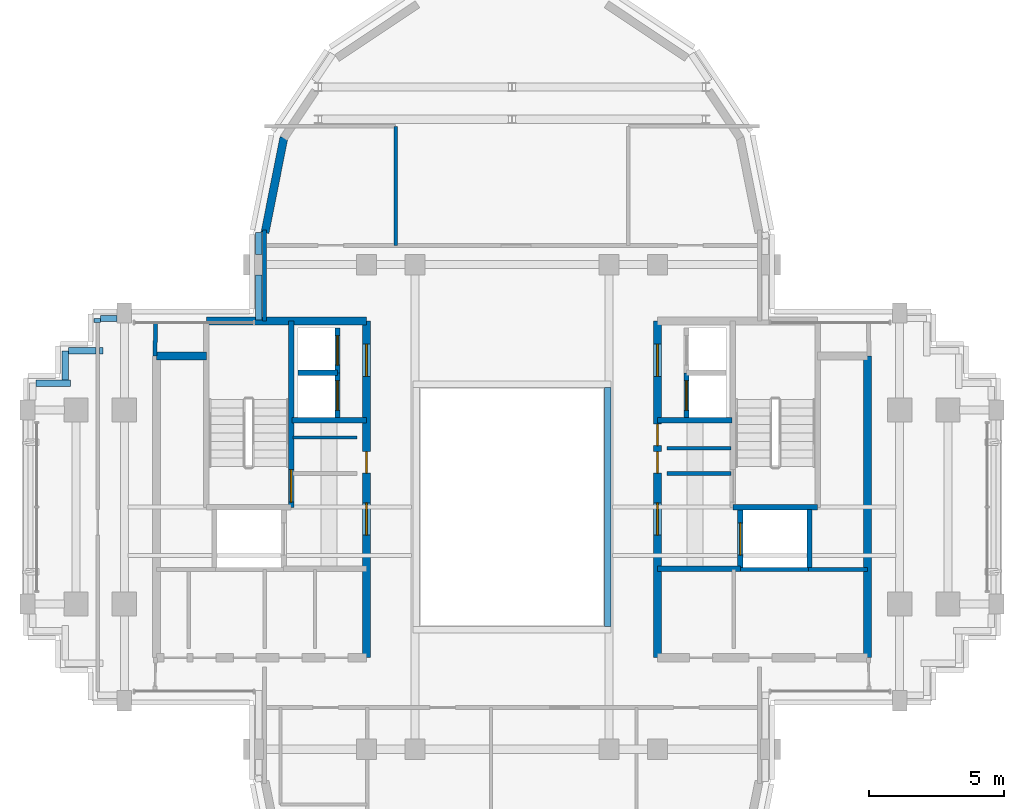
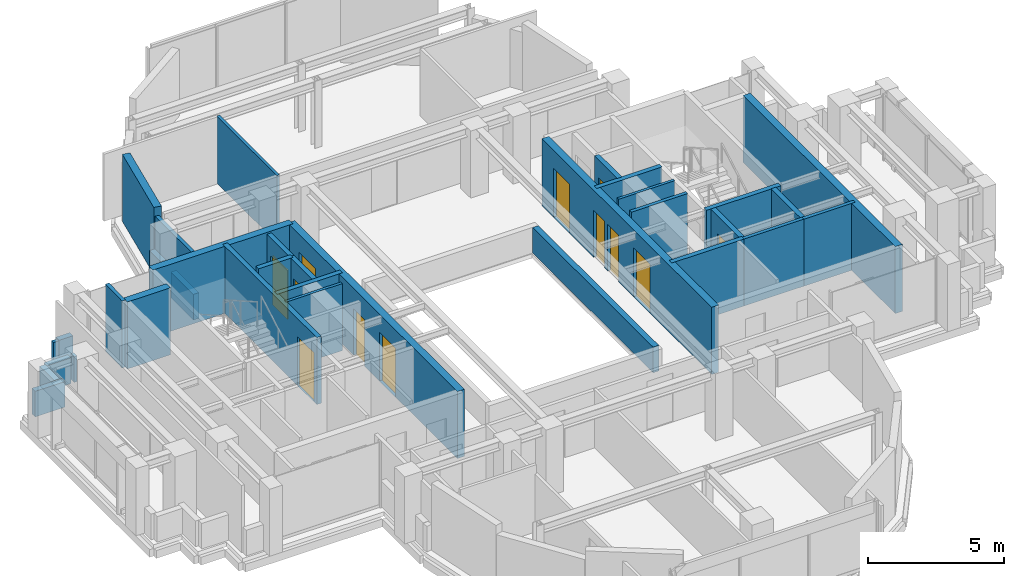
# One storey, part 9 of 12: 34 walls, 12 doors, 12 openings.
"""IFC4 building model written with IfcOpenShell, lengths in metres."""

import ifcopenshell
import ifcopenshell.guid

model = None  # the IFC model being written
_history = None  # IfcOwnerHistory: only IFC2X3 demands one
_inside = {}  # id of a spatial element -> (the spatial element, [elements in it])
_under = {}  # id of a project, library or spatial element -> (it, [spatial elements below it])
_declared = {}  # id of a project -> (the project, [libraries it declares])
_typed = {}  # id of a type object -> (the type object, [elements of that type])
_made_of = {}  # id of a material, layer set ... -> (it, [elements and type objects made of it])


def new_model(schema):
    """Start an empty IFC model of exactly this schema.

    Asked for "IFC4X3", IfcOpenShell would pick the latest addendum, in which some entities
    have other attributes; the version numbers below select the first issue.
    IFC2X3 requires an IfcOwnerHistory on every rooted entity: one is made here for all.
    """
    global model, _history
    if schema == "IFC4X3":
        model = ifcopenshell.file(schema_version=(4, 3, 0, 0))
    else:
        model = ifcopenshell.file(schema=schema)
    _inside.clear()
    _under.clear()
    _declared.clear()
    _typed.clear()
    _made_of.clear()
    _history = None
    if model.schema == "IFC2X3":
        org = make("IfcOrganization", Name="unknown")
        user = make(
            "IfcPersonAndOrganization",
            ThePerson=make("IfcPerson", FamilyName="unknown"),
            TheOrganization=org,
        )
        app = make(
            "IfcApplication",
            ApplicationDeveloper=org,
            Version="unknown",
            ApplicationFullName="unknown",
            ApplicationIdentifier="unknown",
        )
        _history = make(
            "IfcOwnerHistory",
            OwningUser=user,
            OwningApplication=app,
            ChangeAction="ADDED",
            CreationDate=0,
        )
    return model


def make(cls, **values):
    """One entity of the class cls with the attributes given. An attribute that is None is left unset."""
    return model.create_entity(
        cls, **{name: value for name, value in values.items() if value is not None}
    )


def rooted(cls, **values):
    """An entity with a GlobalId (a new one), such as an element, a storey or a relation."""
    return make(cls, GlobalId=ifcopenshell.guid.new(), OwnerHistory=_history, **values)


def si_unit(unit_type, name, prefix=None):
    """IfcSIUnit, for example si_unit("LENGTHUNIT", "METRE", prefix="MILLI")."""
    return make("IfcSIUnit", UnitType=unit_type, Prefix=prefix, Name=name)


def assignment(units):
    """IfcUnitAssignment: the units of a project."""
    return None if units is None else make("IfcUnitAssignment", Units=units)


def point(xyz):
    """IfcCartesianPoint."""
    return None if xyz is None else make("IfcCartesianPoint", Coordinates=xyz)


def direction(xyz):
    """IfcDirection."""
    return None if xyz is None else make("IfcDirection", DirectionRatios=xyz)


def frame(location, z_axis=None, x_axis=None):
    """IfcAxis2Placement3D, a coordinate frame: its origin and axes. An axis left out is left unset."""
    return make(
        "IfcAxis2Placement3D",
        Location=point(location),
        Axis=direction(z_axis),
        RefDirection=direction(x_axis),
    )


def frame_2d(location, x_axis=None):
    """IfcAxis2Placement2D, a coordinate frame in the plane: its origin and x axis."""
    return make(
        "IfcAxis2Placement2D", Location=point(location), RefDirection=direction(x_axis)
    )


def origin():
    """The frame at (0, 0, 0) with its axes left unset."""
    return frame((0.0, 0.0, 0.0))


def place(relative_to, where):
    """IfcLocalPlacement: puts the frame where relative to a parent placement (None: the world)."""
    return make(
        "IfcLocalPlacement", PlacementRelTo=relative_to, RelativePlacement=where
    )


def context(
    kind, dimensions, precision=None, world=None, true_north=None, identifier=None
):
    """IfcGeometricRepresentationContext, for example the 3D "Model" context."""
    return make(
        "IfcGeometricRepresentationContext",
        ContextIdentifier=identifier,
        ContextType=kind,
        CoordinateSpaceDimension=dimensions,
        Precision=precision,
        WorldCoordinateSystem=world,
        TrueNorth=true_north,
    )


def subcontext(parent, identifier, kind, view, scale=None):
    """IfcGeometricRepresentationSubContext, for example "Body" below "Model"."""
    return make(
        "IfcGeometricRepresentationSubContext",
        ContextIdentifier=identifier,
        ContextType=kind,
        ParentContext=parent,
        TargetScale=scale,
        TargetView=view,
    )


def project(units=None, contexts=None):
    """IfcProject with its units and contexts."""
    return rooted(
        "IfcProject",
        Name="project",
        RepresentationContexts=contexts,
        UnitsInContext=assignment(units),
    )


def spatial(cls, under=None, at=None, **own):
    """A site, building, storey or space (cls), placed at a placement, below another one or the project."""
    s = rooted(cls, ObjectPlacement=at, **own)
    if under is not None:
        _under.setdefault(under.id(), (under, []))[1].append(s)
    return s


def profile(cls, at=None, kind="AREA", **sizes):
    """A parametric profile (cls). Its sizes go by their IFC names, for example OverallWidth=200.0."""
    return make(cls, ProfileType=kind, Position=at, **sizes)


def rectangle(**sizes):
    """IfcRectangleProfileDef."""
    return profile("IfcRectangleProfileDef", **sizes)


def extrude(swept, where, along, depth):
    """IfcExtrudedAreaSolid: the profile swept, set in the frame where, extruded along a direction by depth."""
    return make(
        "IfcExtrudedAreaSolid",
        SweptArea=swept,
        Position=where,
        ExtrudedDirection=direction(along),
        Depth=depth,
    )


def shape(context_of_items, identifier, shape_type, items):
    """IfcShapeRepresentation: the items that make up one representation, for example the "Body"."""
    return make(
        "IfcShapeRepresentation",
        ContextOfItems=context_of_items,
        RepresentationIdentifier=identifier,
        RepresentationType=shape_type,
        Items=items,
    )


def source(mapping_origin, context_of_items, identifier, shape_type, items):
    """IfcRepresentationMap: a shape defined once, which mapped items show again and again."""
    return make(
        "IfcRepresentationMap",
        MappingOrigin=mapping_origin,
        MappedRepresentation=shape(context_of_items, identifier, shape_type, items),
    )


def transform(
    local_origin,
    x_axis=None,
    y_axis=None,
    z_axis=None,
    scale=None,
    scale2=None,
    scale3=None,
    uniform=True,
):
    """IfcCartesianTransformationOperator3D, or its non-uniform kind. x_axis, y_axis, z_axis: its Axis1, 2, 3."""
    if uniform:
        return make(
            "IfcCartesianTransformationOperator3D",
            Axis1=direction(x_axis),
            Axis2=direction(y_axis),
            LocalOrigin=point(local_origin),
            Scale=scale,
            Axis3=direction(z_axis),
        )
    return make(
        "IfcCartesianTransformationOperator3DnonUniform",
        Axis1=direction(x_axis),
        Axis2=direction(y_axis),
        LocalOrigin=point(local_origin),
        Scale=scale,
        Axis3=direction(z_axis),
        Scale2=scale2,
        Scale3=scale3,
    )


def mapped(mapping_source, mapping_target):
    """IfcMappedItem: shows the shape of a source again, moved by a transform."""
    return make(
        "IfcMappedItem", MappingSource=mapping_source, MappingTarget=mapping_target
    )


def material(Name=None, Category=None):
    """IfcMaterial."""
    return make("IfcMaterial", Name=Name, Category=Category)


def layer(
    of_material, thickness, ventilated=None, Name=None, Category=None, Priority=None
):
    """IfcMaterialLayer: one layer of a wall or slab, of a material (None: an air gap)."""
    return make(
        "IfcMaterialLayer",
        Material=of_material,
        LayerThickness=thickness,
        IsVentilated=ventilated,
        Name=Name,
        Category=Category,
        Priority=Priority,
    )


def layer_set(layers, Name=None):
    """IfcMaterialLayerSet."""
    return make("IfcMaterialLayerSet", MaterialLayers=layers, LayerSetName=Name)


def made_of(thing, what):
    """Note that an element or type object is made of a material, layer set ...; save() writes the relation."""
    if what is not None:
        _made_of.setdefault(what.id(), (what, []))[1].append(thing)
    return thing


def type_object(cls, material=None, **own):
    """A type object (cls), such as IfcWallType, which elements share."""
    return made_of(rooted(cls, **own), material)


def element(
    cls,
    number,
    at=None,
    inside=None,
    cuts=None,
    type_object=None,
    material=None,
    context=None,
    identifier="Body",
    shape_type=None,
    held_by="IfcProductDefinitionShape",
    body=None,
    shapes=None,
    **own,
):
    """One element of the class cls, such as IfcWall. Its Tag is "e" and its number.

    at: its placement. inside: the storey or other place that contains it. cuts: it is an
    opening in that element (IfcRelVoidsElement). A single representation is given by context,
    identifier, shape_type and body (its items); several are given by shapes. held_by: the class
    of the entity that holds the representations. save() writes the other relations.
    """
    e = rooted(cls, Tag="e%d" % number, ObjectPlacement=at, **own)
    if body is not None:
        shapes = [shape(context, identifier, shape_type, body)]
    if shapes is not None:
        e.Representation = make(held_by, Representations=shapes)
    if inside is not None:
        _inside.setdefault(inside.id(), (inside, []))[1].append(e)
    if cuts is not None:
        rooted(
            "IfcRelVoidsElement", RelatingBuildingElement=cuts, RelatedOpeningElement=e
        )
    if type_object is not None:
        _typed.setdefault(type_object.id(), (type_object, []))[1].append(e)
    return made_of(e, material)


def fill(opening, filler):
    """IfcRelFillsElement: the door or window that sits in an opening."""
    return rooted(
        "IfcRelFillsElement",
        RelatingOpeningElement=opening,
        RelatedBuildingElement=filler,
    )


def aggregate(whole, parts):
    """IfcRelAggregates: a whole, such as a stair, and the parts it consists of."""
    return rooted("IfcRelAggregates", RelatingObject=whole, RelatedObjects=parts)


def save(model, path):
    """Write the relations noted so far, then the file.

    IfcRelAggregates (storeys below a building ...), IfcRelContainedInSpatialStructure (elements
    in a storey), IfcRelDefinesByType, IfcRelAssociatesMaterial and IfcRelDeclares: one each for
    every whole, place, type object, material and project.
    """
    for whole, parts in _under.values():
        aggregate(whole, parts)
    for where, things in _inside.values():
        rooted(
            "IfcRelContainedInSpatialStructure",
            RelatedElements=things,
            RelatingStructure=where,
        )
    for kind, things in _typed.values():
        rooted("IfcRelDefinesByType", RelatedObjects=things, RelatingType=kind)
    for what, things in _made_of.values():
        rooted("IfcRelAssociatesMaterial", RelatedObjects=things, RelatingMaterial=what)
    for by, libraries in _declared.values():
        rooted("IfcRelDeclares", RelatingContext=by, RelatedDefinitions=libraries)
    model.write(path)


model = new_model("IFC4")

# Units and contexts
model_context = context("Model", 3, precision=1e-05, world=origin(), true_north=direction((0.0, 1.0)))
body_context = subcontext(model_context, "Body", "Model", "MODEL_VIEW")
ifc_project = project(units=[si_unit("LENGTHUNIT", "METRE"), si_unit("AREAUNIT", "SQUARE_METRE"), si_unit("VOLUMEUNIT", "CUBIC_METRE"), si_unit("PLANEANGLEUNIT", "RADIAN"), si_unit("MASSUNIT", "GRAM", prefix="KILO")], contexts=[model_context])

# Site, building, storey
site_placement = place(None, origin())
site = spatial("IfcSite", under=ifc_project, at=site_placement, CompositionType="ELEMENT")
building_placement = place(site_placement, origin())
building = spatial("IfcBuilding", under=site, at=building_placement, Name="Keilestroom Media Tower", CompositionType="ELEMENT")
storey_placement = place(building_placement, frame((0.0, 0.0, 226.800048828125)))
storey = spatial("IfcBuildingStorey", under=building, at=storey_placement, Name="L62", CompositionType="ELEMENT", Elevation=226.800048828125)

# Walls
ifc_material_1 = material(Name="Precast concrete C40/50", Category="concrete")
ifc_layer_1 = layer(ifc_material_1, 0.300048828125)
ifc_layer_set_1 = layer_set([ifc_layer_1], Name="Precast concrete C40/50")
wall_type_1 = type_object("IfcWallType", Name="Exterior-Masonry-Spandrel-Wall-300", PredefinedType="SOLIDWALL", material=ifc_layer_set_1)
wall_1_placement = place(storey_placement, frame((-8.470703125, 13.724609375, 0.0), z_axis=(0.0, 0.0, 1.0), x_axis=(-0.195114232679, -0.980780523974, 0.0)))
element("IfcWall", 1, at=wall_1_placement, inside=storey, type_object=wall_type_1, Name="L62 Lobe Facet Precast Frame Wall 06", PredefinedType="SOLIDWALL", context=body_context, shape_type="SweptSolid", body=[
    extrude(rectangle(XDim=3.608642578125, YDim=0.300048828125, at=frame_2d((1.80419921875, 0.0))), origin(), (0.0, 0.0, 1.0), 3.010009765625),
])
ifc_material_2 = material(Name="Gypsum Plasterboard & Steel Stud", Category="steel")
ifc_layer_2 = layer(ifc_material_2, 0.1201171875)
ifc_layer_set_2 = layer_set([ifc_layer_2], Name="Gypsum Plasterboard & Steel Stud")
wall_type_2 = type_object("IfcWallType", Name="Interior-Partition-Wall-120", PredefinedType="PARTITIONING", material=ifc_layer_set_2)
for number, where, z_axis, x_axis, name in (
    (2, (-8.139892578125, 2.580078125, 0.0), (0.0, 0.0, 1.0), (1.0, 0.0, 0.0), "L62 Interior Wall WP-L62-CNW-N"),
    (3, (5.75, 2.179931640625, 0.0), (0.0, 0.0, 1.0), (1.0, 0.0, 0.0), "L62 Interior Wall WP-L62-CNE-N"),
):
    element("IfcWall", number, at=place(storey_placement, frame(where, z_axis=z_axis, x_axis=x_axis)), inside=storey, type_object=wall_type_2, Name=name, PredefinedType="PARTITIONING", context=body_context, shape_type="SweptSolid", body=[
        extrude(rectangle(XDim=2.389892578125, YDim=0.1201171875, at=frame_2d((1.19482421875, 0.0))), origin(), (0.0, 0.0, 1.0), 3.010009765625),
    ])
wall_2_placement = place(storey_placement, frame((-4.320068359375, 9.719970703125, 0.0), z_axis=(0.0, 0.0, 1.0), x_axis=(0.0, 1.0, 0.0)))
element("IfcWall", 4, at=wall_2_placement, inside=storey, type_object=wall_type_2, Name="L62 Interior Wall WP-L62-NL-VW2", PredefinedType="PARTITIONING", context=body_context, shape_type="SweptSolid", body=[
    extrude(rectangle(XDim=4.419921875, YDim=0.1201171875, at=frame_2d((2.2099609375, 0.0))), origin(), (0.0, 0.0, 1.0), 3.010009765625),
])
ifc_layer_3 = layer(ifc_material_2, 0.14990234375)
ifc_layer_set_3 = layer_set([ifc_layer_3], Name="Gypsum Plasterboard & Steel Stud")
wall_type_3 = type_object("IfcWallType", Name="Interior-Partition-Wall-150", PredefinedType="PARTITIONING", material=ifc_layer_set_3)
wall_3_placement = place(storey_placement, frame((5.75, 1.239990234375, 0.0), z_axis=(0.0, 0.0, 1.0), x_axis=(1.0, 0.0, 0.0)))
element("IfcWall", 5, at=wall_3_placement, inside=storey, type_object=wall_type_3, Name="L62 Interior Wall WP-L62-FFE-TOP", PredefinedType="PARTITIONING", context=body_context, shape_type="SweptSolid", body=[
    extrude(rectangle(XDim=2.389892578125, YDim=0.14990234375, at=frame_2d((1.19482421875, 0.0))), origin(), (0.0, 0.0, 1.0), 3.010009765625),
])
wall_4_placement = place(storey_placement, frame((11.02001953125, -2.320068359375, 0.0), z_axis=(0.0, 0.0, 1.0), x_axis=(1.0, 0.0, 0.0)))
element("IfcWall", 6, at=wall_4_placement, inside=storey, type_object=wall_type_3, Name="L62 Interior Wall WP-L62-RECLE-N", PredefinedType="PARTITIONING", context=body_context, shape_type="SweptSolid", body=[
    extrude(rectangle(XDim=2.179931640625, YDim=0.14990234375, at=frame_2d((1.08984375, 0.0))), origin(), (0.0, 0.0, 1.0), 3.010009765625),
])
wall_5_placement = place(storey_placement, frame((8.47998046875, -2.320068359375, 0.0), z_axis=(0.0, 0.0, 1.0), x_axis=(1.0, 0.0, 0.0)))
element("IfcWall", 7, at=wall_5_placement, inside=storey, type_object=wall_type_3, Name="L62 Interior Wall WP-L62-RECME-N", PredefinedType="PARTITIONING", context=body_context, shape_type="SweptSolid", body=[
    extrude(rectangle(XDim=2.56005859375, YDim=0.14990234375, at=frame_2d((1.280029296875, 0.0))), origin(), (0.0, 0.0, 1.0), 3.010009765625),
])
wall_6_placement = place(storey_placement, frame((-9.199951171875, 6.89990234375, 0.0), z_axis=(0.0, 0.0, 1.0), x_axis=(0.0, 1.0, 0.0)))
element("IfcWall", 8, at=wall_6_placement, inside=storey, type_object=wall_type_3, Name="L62 Interior Wall WP-L62-NL-CHKW", PredefinedType="PARTITIONING", context=body_context, shape_type="SweptSolid", body=[
    extrude(rectangle(XDim=3.380126953125, YDim=0.14990234375, at=frame_2d((1.68994140625, 0.0))), origin(), (0.0, 0.0, 1.0), 2.60986328125),
])
wall_7_placement = place(storey_placement, frame((-13.260009765625, 5.60009765625, 0.0), z_axis=(0.0, 0.0, 1.0), x_axis=(0.016013571389, 0.999871774545, 0.0)))
element("IfcWall", 9, at=wall_7_placement, inside=storey, type_object=wall_type_3, Name="L62 Interior Wall WP-L62-WA-ENTN", PredefinedType="PARTITIONING", context=body_context, shape_type="SweptSolid", body=[
    extrude(rectangle(XDim=1.250244140625, YDim=0.14990234375, at=frame_2d((0.625, 0.0))), origin(), (0.0, 0.0, 1.0), 3.010009765625),
])

# Wall, openings, doors
ifc_material_3 = material(Name="Concrete C50/60", Category="concrete")
ifc_layer_4 = layer(ifc_material_3, 0.300048828125)
ifc_layer_set_4 = layer_set([ifc_layer_4], Name="Concrete C50/60")
wall_type_4 = type_object("IfcWallType", Name="Reinforced-Concrete-Core-Shear-Wall-300", PredefinedType="SHEAR", material=ifc_layer_set_4)
wall_8_placement = place(storey_placement, frame((-5.39990234375, -5.60009765625, 0.0), z_axis=(0.0, 0.0, 1.0), x_axis=(0.0, 1.0, 0.0)))
wall_8 = element("IfcWall", 10, at=wall_8_placement, inside=storey, type_object=wall_type_4, Name="L62 Core Shear Wall WL-L62-CORE-W-IN", PredefinedType="SHEAR", context=body_context, shape_type="SweptSolid", body=[
    extrude(rectangle(XDim=12.5, YDim=0.300048828125, at=frame_2d((6.25, 0.0))), origin(), (0.0, 0.0, 1.0), 3.010009765625),
])
opening_1_placement = place(wall_8_placement, frame((4.550048828125, 0.0, 0.0)))
opening_1 = element("IfcOpeningElement", 11, at=opening_1_placement, cuts=wall_8, Name="Opening DI-02", PredefinedType="OPENING", context=body_context, shape_type="SweptSolid", body=[
    extrude(rectangle(XDim=1.199951171875, YDim=2.199951171875, at=frame_2d((0.60009765625, 1.10009765625))), frame((0.0, 0.16015625, 0.0), z_axis=(0.0, -1.0, 0.0), x_axis=(1.0, 0.0, 0.0)), (0.0, 0.0, 1.0), 0.320068359375),
])
opening_2_placement = place(wall_8_placement, frame((10.449951171875, 0.0, 0.0)))
opening_2 = element("IfcOpeningElement", 12, at=opening_2_placement, cuts=wall_8, Name="Opening DI-02", PredefinedType="OPENING", context=body_context, shape_type="SweptSolid", body=[
    extrude(rectangle(XDim=1.199951171875, YDim=2.199951171875, at=frame_2d((0.60009765625, 1.10009765625))), frame((0.0, 0.16015625, 0.0), z_axis=(0.0, -1.0, 0.0), x_axis=(1.0, 0.0, 0.0)), (0.0, 0.0, 1.0), 0.320068359375),
])
opening_3_placement = place(wall_8_placement, frame((6.860107421875, 0.0, 0.0)))
opening_3 = element("IfcOpeningElement", 13, at=opening_3_placement, cuts=wall_8, Name="Opening DI-06", PredefinedType="OPENING", context=body_context, shape_type="SweptSolid", body=[
    extrude(rectangle(XDim=0.800048828125, YDim=2.10009765625, at=frame_2d((0.39990234375, 1.050048828125))), frame((0.0, 0.16015625, 0.0), z_axis=(0.0, -1.0, 0.0), x_axis=(1.0, 0.0, 0.0)), (0.0, 0.0, 1.0), 0.320068359375),
])
ifc_material_4 = material(Name="Powder-Coated Steel Fire Leaf", Category="steel")
door_type_1 = type_object("IfcDoorType", Name="Interior-Compartment-Fire-Door-DI-02", OperationType="NOTDEFINED", PredefinedType="DOOR", material=ifc_material_4)
shared_shape_1 = source(origin(), body_context, "Body", "SweptSolid", [
    extrude(rectangle(XDim=1.199951171875, YDim=2.199951171875, at=frame_2d((0.60009765625, 1.10009765625))), frame((0.0, 0.02490234375, 0.0), z_axis=(0.0, -1.0, 0.0), x_axis=(1.0, 0.0, 0.0)), (0.0, 0.0, 1.0), 0.050048828125),
])
door_1_placement = place(opening_1_placement, origin())
door_1 = element("IfcDoor", 14, at=door_1_placement, inside=storey, type_object=door_type_1, Name="L62 W Firefighting Lobby Door", OperationType="SINGLE_SWING_RIGHT", OverallHeight=2.199951171875, OverallWidth=1.199951171875, PredefinedType="DOOR", context=body_context, shape_type="MappedRepresentation", body=[
    mapped(shared_shape_1, transform((0.0, 0.0, 0.0), x_axis=(1.0, 0.0, 0.0), y_axis=(0.0, 1.0, 0.0), z_axis=(0.0, 0.0, 1.0), scale=1.0)),
])
fill(opening_1, door_1)
door_2_placement = place(opening_2_placement, origin())
door_2 = element("IfcDoor", 15, at=door_2_placement, inside=storey, type_object=door_type_1, Name="L62 W High-Rise Lift Lobby Door", OperationType="SINGLE_SWING_LEFT", OverallHeight=2.199951171875, OverallWidth=1.199951171875, PredefinedType="DOOR", context=body_context, shape_type="MappedRepresentation", body=[
    mapped(shared_shape_1, transform((0.0, 0.0, 0.0), x_axis=(1.0, 0.0, 0.0), y_axis=(0.0, 1.0, 0.0), z_axis=(0.0, 0.0, 1.0), scale=1.0)),
])
fill(opening_2, door_2)
ifc_material_5 = material(Name="Powder-Coated Steel Service Leaf", Category="steel")
door_type_2 = type_object("IfcDoorType", Name="Interior-Riser-Access-Door-DI-06", OperationType="NOTDEFINED", PredefinedType="DOOR", material=ifc_material_5)
shared_shape_2 = source(origin(), body_context, "Body", "SweptSolid", [
    extrude(rectangle(XDim=0.800048828125, YDim=2.10009765625, at=frame_2d((0.39990234375, 1.050048828125))), frame((0.0, 0.02490234375, 0.0), z_axis=(0.0, -1.0, 0.0), x_axis=(1.0, 0.0, 0.0)), (0.0, 0.0, 1.0), 0.050048828125),
])
door_3_placement = place(opening_3_placement, origin())
door_3 = element("IfcDoor", 16, at=door_3_placement, inside=storey, type_object=door_type_2, Name="L62 West Core Switchroom Door", OperationType="SINGLE_SWING_LEFT", OverallHeight=2.10009765625, OverallWidth=0.800048828125, PredefinedType="DOOR", context=body_context, shape_type="MappedRepresentation", body=[
    mapped(shared_shape_2, transform((0.0, 0.0, 0.0), x_axis=(1.0, 0.0, 0.0), y_axis=(0.0, 1.0, 0.0), z_axis=(0.0, 0.0, 1.0), scale=1.0)),
])
fill(opening_3, door_3)

# Walls
wall_9_placement = place(storey_placement, frame((-11.35595703125, 6.89990234375, 0.0), z_axis=(0.0, 0.0, 1.0), x_axis=(1.0, 0.0, 0.0)))
element("IfcWall", 17, at=wall_9_placement, inside=storey, type_object=wall_type_4, Name="L62 Core Shear Wall WL-L62-CORE-W-N", PredefinedType="SHEAR", context=body_context, shape_type="SweptSolid", body=[
    extrude(rectangle(XDim=5.9560546875, YDim=0.300048828125, at=frame_2d((2.97802734375, 0.0))), origin(), (0.0, 0.0, 1.0), 3.010009765625),
])
wall_10_placement = place(storey_placement, frame((-13.199951171875, 5.60009765625, 0.0), z_axis=(0.0, 0.0, 1.0), x_axis=(1.0, 0.0, 0.0)))
element("IfcWall", 18, at=wall_10_placement, inside=storey, type_object=wall_type_4, Name="L62 Core Shear Wall WL-L62-CNW-N", PredefinedType="SHEAR", context=body_context, shape_type="SweptSolid", body=[
    extrude(rectangle(XDim=1.843994140625, YDim=0.300048828125, at=frame_2d((0.921875, 0.0))), origin(), (0.0, 0.0, 1.0), 3.010009765625),
])
wall_11_placement = place(storey_placement, frame((13.199951171875, -5.60009765625, 0.0), z_axis=(0.0, 0.0, 1.0), x_axis=(0.0, 1.0, 0.0)))
element("IfcWall", 19, at=wall_11_placement, inside=storey, type_object=wall_type_4, Name="L62 Core Shear Wall WL-L62-CORE-E-OUT", PredefinedType="SHEAR", context=body_context, shape_type="SweptSolid", body=[
    extrude(rectangle(XDim=11.2001953125, YDim=0.300048828125, at=frame_2d((5.60009765625, 0.0))), origin(), (0.0, 0.0, 1.0), 3.010009765625),
])

# Wall, openings, doors
wall_12_placement = place(storey_placement, frame((5.39990234375, -5.60009765625, 0.0), z_axis=(0.0, 0.0, 1.0), x_axis=(0.0, 1.0, 0.0)))
wall_12 = element("IfcWall", 20, at=wall_12_placement, inside=storey, type_object=wall_type_4, Name="L62 Core Shear Wall WL-L62-CORE-E-IN", PredefinedType="SHEAR", context=body_context, shape_type="SweptSolid", body=[
    extrude(rectangle(XDim=12.5, YDim=0.300048828125, at=frame_2d((6.25, 0.0))), origin(), (0.0, 0.0, 1.0), 3.010009765625),
])
opening_4_placement = place(wall_12_placement, frame((4.550048828125, 0.0, 0.0)))
opening_4 = element("IfcOpeningElement", 21, at=opening_4_placement, cuts=wall_12, Name="Opening DI-02", PredefinedType="OPENING", context=body_context, shape_type="SweptSolid", body=[
    extrude(rectangle(XDim=1.199951171875, YDim=2.199951171875, at=frame_2d((0.60009765625, 1.10009765625))), frame((0.0, 0.16015625, 0.0), z_axis=(0.0, -1.0, 0.0), x_axis=(1.0, 0.0, 0.0)), (0.0, 0.0, 1.0), 0.320068359375),
])
opening_5_placement = place(wall_12_placement, frame((10.449951171875, 0.0, 0.0)))
opening_5 = element("IfcOpeningElement", 22, at=opening_5_placement, cuts=wall_12, Name="Opening DI-02", PredefinedType="OPENING", context=body_context, shape_type="SweptSolid", body=[
    extrude(rectangle(XDim=1.199951171875, YDim=2.199951171875, at=frame_2d((0.60009765625, 1.10009765625))), frame((0.0, 0.16015625, 0.0), z_axis=(0.0, -1.0, 0.0), x_axis=(1.0, 0.0, 0.0)), (0.0, 0.0, 1.0), 0.320068359375),
])
opening_6_placement = place(wall_12_placement, frame((6.860107421875, 0.0, 0.0)))
opening_6 = element("IfcOpeningElement", 23, at=opening_6_placement, cuts=wall_12, Name="Opening DI-06", PredefinedType="OPENING", context=body_context, shape_type="SweptSolid", body=[
    extrude(rectangle(XDim=0.800048828125, YDim=2.10009765625, at=frame_2d((0.39990234375, 1.050048828125))), frame((0.0, 0.16015625, 0.0), z_axis=(0.0, -1.0, 0.0), x_axis=(1.0, 0.0, 0.0)), (0.0, 0.0, 1.0), 0.320068359375),
])
opening_7_placement = place(wall_12_placement, frame((7.8798828125, 0.0, 0.0)))
opening_7 = element("IfcOpeningElement", 24, at=opening_7_placement, cuts=wall_12, Name="Opening DI-06", PredefinedType="OPENING", context=body_context, shape_type="SweptSolid", body=[
    extrude(rectangle(XDim=0.800048828125, YDim=2.10009765625, at=frame_2d((0.39990234375, 1.050048828125))), frame((0.0, 0.16015625, 0.0), z_axis=(0.0, -1.0, 0.0), x_axis=(1.0, 0.0, 0.0)), (0.0, 0.0, 1.0), 0.320068359375),
])
door_4_placement = place(opening_4_placement, origin())
door_4 = element("IfcDoor", 25, at=door_4_placement, inside=storey, type_object=door_type_1, Name="L62 E Firefighting Lobby Door", OperationType="SINGLE_SWING_LEFT", OverallHeight=2.199951171875, OverallWidth=1.199951171875, PredefinedType="DOOR", context=body_context, shape_type="MappedRepresentation", body=[
    mapped(shared_shape_1, transform((0.0, 0.0, 0.0), x_axis=(1.0, 0.0, 0.0), y_axis=(0.0, 1.0, 0.0), z_axis=(0.0, 0.0, 1.0), scale=1.0)),
])
fill(opening_4, door_4)
door_5_placement = place(opening_5_placement, origin())
door_5 = element("IfcDoor", 26, at=door_5_placement, inside=storey, type_object=door_type_1, Name="L62 E High-Rise Lift Lobby Door", OperationType="SINGLE_SWING_RIGHT", OverallHeight=2.199951171875, OverallWidth=1.199951171875, PredefinedType="DOOR", context=body_context, shape_type="MappedRepresentation", body=[
    mapped(shared_shape_1, transform((0.0, 0.0, 0.0), x_axis=(1.0, 0.0, 0.0), y_axis=(0.0, 1.0, 0.0), z_axis=(0.0, 0.0, 1.0), scale=1.0)),
])
fill(opening_5, door_5)
door_6_placement = place(opening_6_placement, origin())
door_6 = element("IfcDoor", 27, at=door_6_placement, inside=storey, type_object=door_type_2, Name="L62 East Core Telecom Door", OperationType="SINGLE_SWING_RIGHT", OverallHeight=2.10009765625, OverallWidth=0.800048828125, PredefinedType="DOOR", context=body_context, shape_type="MappedRepresentation", body=[
    mapped(shared_shape_2, transform((0.0, 0.0, 0.0), x_axis=(1.0, 0.0, 0.0), y_axis=(0.0, 1.0, 0.0), z_axis=(0.0, 0.0, 1.0), scale=1.0)),
])
fill(opening_6, door_6)
door_7_placement = place(opening_7_placement, origin())
door_7 = element("IfcDoor", 28, at=door_7_placement, inside=storey, type_object=door_type_2, Name="L62 East Core Closet Door", OperationType="SINGLE_SWING_RIGHT", OverallHeight=2.10009765625, OverallWidth=0.800048828125, PredefinedType="DOOR", context=body_context, shape_type="MappedRepresentation", body=[
    mapped(shared_shape_2, transform((0.0, 0.0, 0.0), x_axis=(1.0, 0.0, 0.0), y_axis=(0.0, 1.0, 0.0), z_axis=(0.0, 0.0, 1.0), scale=1.0)),
])
fill(opening_7, door_7)

# Wall
ifc_layer_5 = layer(ifc_material_3, 0.199951171875)
ifc_layer_set_5 = layer_set([ifc_layer_5], Name="Concrete C50/60")
wall_type_5 = type_object("IfcWallType", Name="Reinforced-Concrete-Shaft-Wall-200", PredefinedType="SOLIDWALL", material=ifc_layer_set_5)
wall_13_placement = place(storey_placement, frame((-8.179931640625, 3.219970703125, 0.0), z_axis=(0.0, 0.0, 1.0), x_axis=(1.0, 0.0, 0.0)))
element("IfcWall", 29, at=wall_13_placement, inside=storey, type_object=wall_type_5, Name="L62 Core Shear Wall WL-L62-CORE-W-FFN", PredefinedType="SOLIDWALL", context=body_context, shape_type="SweptSolid", body=[
    extrude(rectangle(XDim=2.780029296875, YDim=0.199951171875, at=frame_2d((1.39013671875, 0.0))), origin(), (0.0, 0.0, 1.0), 3.010009765625),
])

# Wall, opening, door
wall_14_placement = place(storey_placement, frame((-8.2041015625, -0.01611328125, 0.0), z_axis=(0.0, 0.0, 1.0), x_axis=(0.0, 1.0, 0.0)))
wall_14 = element("IfcWall", 30, at=wall_14_placement, inside=storey, type_object=wall_type_5, Name="L62 Core Shear Wall WL-L62-STW-W-NEAR", PredefinedType="SOLIDWALL", context=body_context, shape_type="SweptSolid", body=[
    extrude(rectangle(XDim=6.916015625, YDim=0.199951171875, at=frame_2d((3.4580078125, 0.0))), origin(), (0.0, 0.0, 1.0), 3.010009765625),
])
opening_8_placement = place(wall_14_placement, frame((0.199951171875, 0.0, 0.0)))
opening_8 = element("IfcOpeningElement", 31, at=opening_8_placement, cuts=wall_14, Name="Opening DI-01S", PredefinedType="OPENING", context=body_context, shape_type="SweptSolid", body=[
    extrude(rectangle(XDim=1.199951171875, YDim=2.199951171875, at=frame_2d((0.60009765625, 1.10009765625))), frame((0.0, 0.10986328125, 0.0), z_axis=(0.0, -1.0, 0.0), x_axis=(1.0, 0.0, 0.0)), (0.0, 0.0, 1.0), 0.219970703125),
])
door_type_3 = type_object("IfcDoorType", Name="Interior-Stair-And-Core-Fire-Door-DI-01", OperationType="NOTDEFINED", PredefinedType="DOOR", material=ifc_material_4)
door_8_placement = place(opening_8_placement, origin())
door_8 = element("IfcDoor", 32, at=door_8_placement, inside=storey, type_object=door_type_3, Name="L62 Escape Stair ST-1 Fire Door", OperationType="SINGLE_SWING_LEFT", OverallHeight=2.199951171875, OverallWidth=1.199951171875, PredefinedType="DOOR", context=body_context, shape_type="MappedRepresentation", body=[
    mapped(shared_shape_1, transform((0.0, 0.0, 0.0), x_axis=(1.0, 0.0, 0.0), y_axis=(0.0, 1.0, 0.0), z_axis=(0.0, 0.0, 1.0), scale=1.0)),
])
fill(opening_8, door_8)

# Walls
wall_15_placement = place(storey_placement, frame((5.39990234375, 3.219970703125, 0.0), z_axis=(0.0, 0.0, 1.0), x_axis=(1.0, 0.0, 0.0)))
element("IfcWall", 33, at=wall_15_placement, inside=storey, type_object=wall_type_5, Name="L62 Core Shear Wall WL-L62-CORE-E-FFN", PredefinedType="SOLIDWALL", context=body_context, shape_type="SweptSolid", body=[
    extrude(rectangle(XDim=2.780029296875, YDim=0.199951171875, at=frame_2d((1.39013671875, 0.0))), origin(), (0.0, 0.0, 1.0), 3.010009765625),
])
wall_16_placement = place(storey_placement, frame((5.39990234375, -2.300048828125, 0.0), z_axis=(0.0, 0.0, 1.0), x_axis=(1.0, 0.0, 0.0)))
element("IfcWall", 34, at=wall_16_placement, inside=storey, type_object=wall_type_5, Name="L62 Core Shear Wall WL-L62-CORE-E-FFS", PredefinedType="SOLIDWALL", context=body_context, shape_type="SweptSolid", body=[
    extrude(rectangle(XDim=3.080078125, YDim=0.199951171875, at=frame_2d((1.5400390625, 0.0))), origin(), (0.0, 0.0, 1.0), 3.010009765625),
])
wall_17_placement = place(storey_placement, frame((8.2041015625, -0.01611328125, 0.0), z_axis=(0.0, 0.0, 1.0), x_axis=(1.0, 0.0, 0.0)))
element("IfcWall", 35, at=wall_17_placement, inside=storey, type_object=wall_type_5, Name="L62 Core Shear Wall WL-L62-STW-E-S", PredefinedType="SOLIDWALL", context=body_context, shape_type="SweptSolid", body=[
    extrude(rectangle(XDim=3.15185546875, YDim=0.199951171875, at=frame_2d((1.575927734375, 0.0))), origin(), (0.0, 0.0, 1.0), 3.010009765625),
])

# Wall, opening, door
wall_18_placement = place(storey_placement, frame((8.47998046875, -2.280029296875, 0.0), z_axis=(0.0, 0.0, 1.0), x_axis=(0.0, 1.0, 0.0)))
wall_18 = element("IfcWall", 36, at=wall_18_placement, inside=storey, type_object=wall_type_5, Name="L62 Core Shear Wall WL-L62-LSH-FFL-2-W", PredefinedType="SOLIDWALL", context=body_context, shape_type="SweptSolid", body=[
    extrude(rectangle(XDim=2.179931640625, YDim=0.199951171875, at=frame_2d((1.08984375, 0.0))), origin(), (0.0, 0.0, 1.0), 3.010009765625),
])
opening_9_placement = place(wall_18_placement, frame((0.489990234375, 0.0, 0.0)))
opening_9 = element("IfcOpeningElement", 37, at=opening_9_placement, cuts=wall_18, Name="Opening LD-02", PredefinedType="OPENING", context=body_context, shape_type="SweptSolid", body=[
    extrude(rectangle(XDim=1.199951171875, YDim=2.199951171875, at=frame_2d((0.60009765625, 1.10009765625))), frame((0.0, 0.10986328125, 0.0), z_axis=(0.0, -1.0, 0.0), x_axis=(1.0, 0.0, 0.0)), (0.0, 0.0, 1.0), 0.219970703125),
])
ifc_material_6 = material(Name="Brushed Stainless Steel Sliding Leaf", Category="steel")
door_type_4 = type_object("IfcDoorType", Name="Lift-Landing-Sliding-Door-LD-02", OperationType="SLIDING_TO_RIGHT", PredefinedType="DOOR", material=ifc_material_6)
door_9_placement = place(opening_9_placement, origin())
door_9 = element("IfcDoor", 38, at=door_9_placement, inside=storey, type_object=door_type_4, Name="L62 Lift FFL-2 Landing Sliding Door", OperationType="SLIDING_TO_RIGHT", OverallHeight=2.199951171875, OverallWidth=1.199951171875, PredefinedType="DOOR", context=body_context, shape_type="MappedRepresentation", body=[
    mapped(shared_shape_1, transform((0.0, 0.0, 0.0), x_axis=(1.0, 0.0, 0.0), y_axis=(0.0, 1.0, 0.0), z_axis=(0.0, 0.0, 1.0), scale=1.0)),
])
fill(opening_9, door_9)

# Wall
wall_19_placement = place(storey_placement, frame((11.050048828125, -2.280029296875, 0.0), z_axis=(0.0, 0.0, 1.0), x_axis=(0.0, 1.0, 0.0)))
element("IfcWall", 39, at=wall_19_placement, inside=storey, type_object=wall_type_5, Name="L62 Core Shear Wall WL-L62-LSH-FFL-2-E", PredefinedType="SOLIDWALL", context=body_context, shape_type="SweptSolid", body=[
    extrude(rectangle(XDim=2.179931640625, YDim=0.199951171875, at=frame_2d((1.08984375, 0.0))), origin(), (0.0, 0.0, 1.0), 3.010009765625),
])

# Wall, opening, door
wall_20_placement = place(storey_placement, frame((-6.47998046875, 3.300048828125, 0.0), z_axis=(0.0, 0.0, 1.0), x_axis=(0.0, 1.0, 0.0)))
wall_20 = element("IfcWall", 40, at=wall_20_placement, inside=storey, type_object=wall_type_5, Name="L62 Core Shear Wall WL-L62-LSH-PL-H1-E", PredefinedType="SOLIDWALL", context=body_context, shape_type="SweptSolid", body=[
    extrude(rectangle(XDim=1.679931640625, YDim=0.199951171875, at=frame_2d((0.83984375, 0.0))), origin(), (0.0, 0.0, 1.0), 3.010009765625),
])
opening_10_placement = place(wall_20_placement, frame((0.2900390625, 0.0, 0.0)))
opening_10 = element("IfcOpeningElement", 41, at=opening_10_placement, cuts=wall_20, Name="Opening LD-01", PredefinedType="OPENING", context=body_context, shape_type="SweptSolid", body=[
    extrude(rectangle(XDim=1.10009765625, YDim=2.199951171875, at=frame_2d((0.550048828125, 1.10009765625))), frame((0.0, 0.10986328125, 0.0), z_axis=(0.0, -1.0, 0.0), x_axis=(1.0, 0.0, 0.0)), (0.0, 0.0, 1.0), 0.219970703125),
])
door_type_5 = type_object("IfcDoorType", Name="Lift-Landing-Sliding-Door-LD-01", OperationType="SLIDING_TO_LEFT", PredefinedType="DOOR", material=ifc_material_6)
shared_shape_3 = source(origin(), body_context, "Body", "SweptSolid", [
    extrude(rectangle(XDim=1.10009765625, YDim=2.199951171875, at=frame_2d((0.550048828125, 1.10009765625))), frame((0.0, 0.02490234375, 0.0), z_axis=(0.0, -1.0, 0.0), x_axis=(1.0, 0.0, 0.0)), (0.0, 0.0, 1.0), 0.050048828125),
])
door_10_placement = place(opening_10_placement, origin())
door_10 = element("IfcDoor", 42, at=door_10_placement, inside=storey, type_object=door_type_5, Name="L62 Lift PL-H1 Landing Sliding Door", OperationType="SLIDING_TO_LEFT", OverallHeight=2.199951171875, OverallWidth=1.10009765625, PredefinedType="DOOR", context=body_context, shape_type="MappedRepresentation", body=[
    mapped(shared_shape_3, transform((0.0, 0.0, 0.0), x_axis=(1.0, 0.0, 0.0), y_axis=(0.0, 1.0, 0.0), z_axis=(0.0, 0.0, 1.0), scale=1.0)),
])
fill(opening_10, door_10)

# Wall
wall_21_placement = place(storey_placement, frame((-7.949951171875, 4.97998046875, 0.0), z_axis=(0.0, 0.0, 1.0), x_axis=(1.0, 0.0, 0.0)))
element("IfcWall", 43, at=wall_21_placement, inside=storey, type_object=wall_type_5, Name="L62 Core Shear Wall WL-L62-LSH-PL-H1-N", PredefinedType="SOLIDWALL", context=body_context, shape_type="SweptSolid", body=[
    extrude(rectangle(XDim=1.469970703125, YDim=0.199951171875, at=frame_2d((0.73486328125, 0.0))), origin(), (0.0, 0.0, 1.0), 3.010009765625),
])

# Wall, opening, door
wall_22_placement = place(storey_placement, frame((-6.47998046875, 4.97998046875, 0.0), z_axis=(0.0, 0.0, 1.0), x_axis=(0.0, 1.0, 0.0)))
wall_22 = element("IfcWall", 44, at=wall_22_placement, inside=storey, type_object=wall_type_5, Name="L62 Core Shear Wall WL-L62-LSH-PL-H2-E", PredefinedType="SOLIDWALL", context=body_context, shape_type="SweptSolid", body=[
    extrude(rectangle(XDim=1.669921875, YDim=0.199951171875, at=frame_2d((0.8349609375, 0.0))), origin(), (0.0, 0.0, 1.0), 3.010009765625),
])
opening_11_placement = place(wall_22_placement, frame((0.284912109375, 0.0, 0.0)))
opening_11 = element("IfcOpeningElement", 45, at=opening_11_placement, cuts=wall_22, Name="Opening LD-01", PredefinedType="OPENING", context=body_context, shape_type="SweptSolid", body=[
    extrude(rectangle(XDim=1.10009765625, YDim=2.199951171875, at=frame_2d((0.550048828125, 1.10009765625))), frame((0.0, 0.10986328125, 0.0), z_axis=(0.0, -1.0, 0.0), x_axis=(1.0, 0.0, 0.0)), (0.0, 0.0, 1.0), 0.219970703125),
])
door_11_placement = place(opening_11_placement, origin())
door_11 = element("IfcDoor", 46, at=door_11_placement, inside=storey, type_object=door_type_5, Name="L62 Lift PL-H2 Landing Sliding Door", OperationType="SLIDING_TO_LEFT", OverallHeight=2.199951171875, OverallWidth=1.10009765625, PredefinedType="DOOR", context=body_context, shape_type="MappedRepresentation", body=[
    mapped(shared_shape_3, transform((0.0, 0.0, 0.0), x_axis=(1.0, 0.0, 0.0), y_axis=(0.0, 1.0, 0.0), z_axis=(0.0, 0.0, 1.0), scale=1.0)),
])
fill(opening_11, door_11)

wall_23_placement = place(storey_placement, frame((6.47998046875, 3.300048828125, 0.0), z_axis=(0.0, 0.0, 1.0), x_axis=(0.0, 1.0, 0.0)))
wall_23 = element("IfcWall", 47, at=wall_23_placement, inside=storey, type_object=wall_type_5, Name="L62 Core Shear Wall WL-L62-LSH-PL-H3-W", PredefinedType="SOLIDWALL", context=body_context, shape_type="SweptSolid", body=[
    extrude(rectangle(XDim=1.679931640625, YDim=0.199951171875, at=frame_2d((0.83984375, 0.0))), origin(), (0.0, 0.0, 1.0), 3.010009765625),
])
opening_12_placement = place(wall_23_placement, frame((0.2900390625, 0.0, 0.0)))
opening_12 = element("IfcOpeningElement", 48, at=opening_12_placement, cuts=wall_23, Name="Opening LD-01", PredefinedType="OPENING", context=body_context, shape_type="SweptSolid", body=[
    extrude(rectangle(XDim=1.10009765625, YDim=2.199951171875, at=frame_2d((0.550048828125, 1.10009765625))), frame((0.0, 0.10986328125, 0.0), z_axis=(0.0, -1.0, 0.0), x_axis=(1.0, 0.0, 0.0)), (0.0, 0.0, 1.0), 0.219970703125),
])
door_12_placement = place(opening_12_placement, origin())
door_12 = element("IfcDoor", 49, at=door_12_placement, inside=storey, type_object=door_type_5, Name="L62 Lift PL-H3 Landing Sliding Door", OperationType="SLIDING_TO_LEFT", OverallHeight=2.199951171875, OverallWidth=1.10009765625, PredefinedType="DOOR", context=body_context, shape_type="MappedRepresentation", body=[
    mapped(shared_shape_3, transform((0.0, 0.0, 0.0), x_axis=(1.0, 0.0, 0.0), y_axis=(0.0, 1.0, 0.0), z_axis=(0.0, 0.0, 1.0), scale=1.0)),
])
fill(opening_12, door_12)

# Walls
ifc_layer_6 = layer(ifc_material_1, 0.239990234375)
ifc_layer_set_6 = layer_set([ifc_layer_6], Name="Precast concrete C40/50")
wall_type_6 = type_object("IfcWallType", Name="Roof-And-Terrace-Parapet-Wall-240", PredefinedType="PARAPET", material=ifc_layer_set_6)
wall_24_placement = place(storey_placement, frame((-17.677001953125, 4.60009765625, 0.0), z_axis=(0.0, 0.0, 1.0), x_axis=(1.0, 0.0, 0.0)))
element("IfcWall", 50, at=wall_24_placement, inside=storey, type_object=wall_type_6, Name="L62 Perimeter Edge Parapet Wall 19", PredefinedType="PARAPET", context=body_context, shape_type="SweptSolid", body=[
    extrude(rectangle(XDim=1.277099609375, YDim=0.239990234375, at=frame_2d((0.638671875, 0.0))), origin(), (0.0, 0.0, 1.0), 1.14990234375),
])
wall_25_placement = place(storey_placement, frame((-16.60009765625, 4.722900390625, 0.0), z_axis=(0.0, 0.0, 1.0), x_axis=(0.0, 1.0, 0.0)))
element("IfcWall", 51, at=wall_25_placement, inside=storey, type_object=wall_type_6, Name="L62 Perimeter Edge Parapet Wall 20", PredefinedType="PARAPET", context=body_context, shape_type="SweptSolid", body=[
    extrude(rectangle(XDim=1.0771484375, YDim=0.239990234375, at=frame_2d((0.53857421875, 0.0))), origin(), (0.0, 0.0, 1.0), 1.14990234375),
])
wall_26_placement = place(storey_placement, frame((-16.47705078125, 5.800048828125, 0.0), z_axis=(0.0, 0.0, 1.0), x_axis=(1.0, 0.0, 0.0)))
element("IfcWall", 52, at=wall_26_placement, inside=storey, type_object=wall_type_6, Name="L62 Perimeter Edge Parapet Wall 21", PredefinedType="PARAPET", context=body_context, shape_type="SweptSolid", body=[
    extrude(rectangle(XDim=1.024169921875, YDim=0.239990234375, at=frame_2d((0.51220703125, 0.0))), origin(), (0.0, 0.0, 1.0), 1.14990234375),
])
wall_27_placement = place(storey_placement, frame((-15.326904296875, 5.800048828125, 0.0), z_axis=(0.0, 0.0, 1.0), x_axis=(1.0, 0.0, 0.0)))
element("IfcWall", 53, at=wall_27_placement, inside=storey, type_object=wall_type_6, Name="L62 Perimeter Edge Parapet Wall 22", PredefinedType="PARAPET", context=body_context, shape_type="SweptSolid", body=[
    extrude(rectangle(XDim=0.126953125, YDim=0.239990234375, at=frame_2d((0.0634765625, 0.0))), origin(), (0.0, 0.0, 1.0), 1.14990234375),
])
wall_28_placement = place(storey_placement, frame((-15.39990234375, 6.85302734375, 0.0), z_axis=(0.0, 0.0, 1.0), x_axis=(0.0, 1.0, 0.0)))
element("IfcWall", 54, at=wall_28_placement, inside=storey, type_object=wall_type_6, Name="L62 Perimeter Edge Parapet Wall 23", PredefinedType="PARAPET", context=body_context, shape_type="SweptSolid", body=[
    extrude(rectangle(XDim=0.14697265625, YDim=0.239990234375, at=frame_2d((0.073486328125, 0.0))), origin(), (0.0, 0.0, 1.0), 1.14990234375),
])
wall_29_placement = place(storey_placement, frame((-15.277099609375, 7.0, 0.0), z_axis=(0.0, 0.0, 1.0), x_axis=(1.0, 0.0, 0.0)))
element("IfcWall", 55, at=wall_29_placement, inside=storey, type_object=wall_type_6, Name="L62 Perimeter Edge Parapet Wall 24", PredefinedType="PARAPET", context=body_context, shape_type="SweptSolid", body=[
    extrude(rectangle(XDim=0.59912109375, YDim=0.239990234375, at=frame_2d((0.299560546875, 0.0))), origin(), (0.0, 0.0, 1.0), 1.14990234375),
])
wall_30_placement = place(storey_placement, frame((-9.39990234375, 6.952880859375, 0.0), z_axis=(0.0, 0.0, 1.0), x_axis=(0.0, 1.0, 0.0)))
element("IfcWall", 56, at=wall_30_placement, inside=storey, type_object=wall_type_6, Name="L62 Perimeter Edge Parapet Wall 25", PredefinedType="PARAPET", context=body_context, shape_type="SweptSolid", body=[
    extrude(rectangle(XDim=1.669189453125, YDim=0.239990234375, at=frame_2d((0.83447265625, 0.0))), origin(), (0.0, 0.0, 1.0), 1.14990234375),
])
wall_31_placement = place(storey_placement, frame((-9.39990234375, 9.3779296875, 0.0), z_axis=(0.0, 0.0, 1.0), x_axis=(0.0, 1.0, 0.0)))
element("IfcWall", 57, at=wall_31_placement, inside=storey, type_object=wall_type_6, Name="L62 Perimeter Edge Parapet Wall 26", PredefinedType="PARAPET", context=body_context, shape_type="SweptSolid", body=[
    extrude(rectangle(XDim=0.824951171875, YDim=0.239990234375, at=frame_2d((0.41259765625, 0.0))), origin(), (0.0, 0.0, 1.0), 1.14990234375),
])
wall_32_placement = place(storey_placement, frame((3.56005859375, -4.43505859375, 0.0), z_axis=(0.0, 0.0, 1.0), x_axis=(0.0, 1.0, 0.0)))
element("IfcWall", 58, at=wall_32_placement, inside=storey, type_object=wall_type_6, Name="L62 Central Atrium Guard Parapet E", PredefinedType="PARAPET", context=body_context, shape_type="SweptSolid", body=[
    extrude(rectangle(XDim=8.8701171875, YDim=0.239990234375, at=frame_2d((4.43505859375, 0.0))), origin(), (0.0, 0.0, 1.0), 1.14990234375),
])

save(model, "model.ifc")
